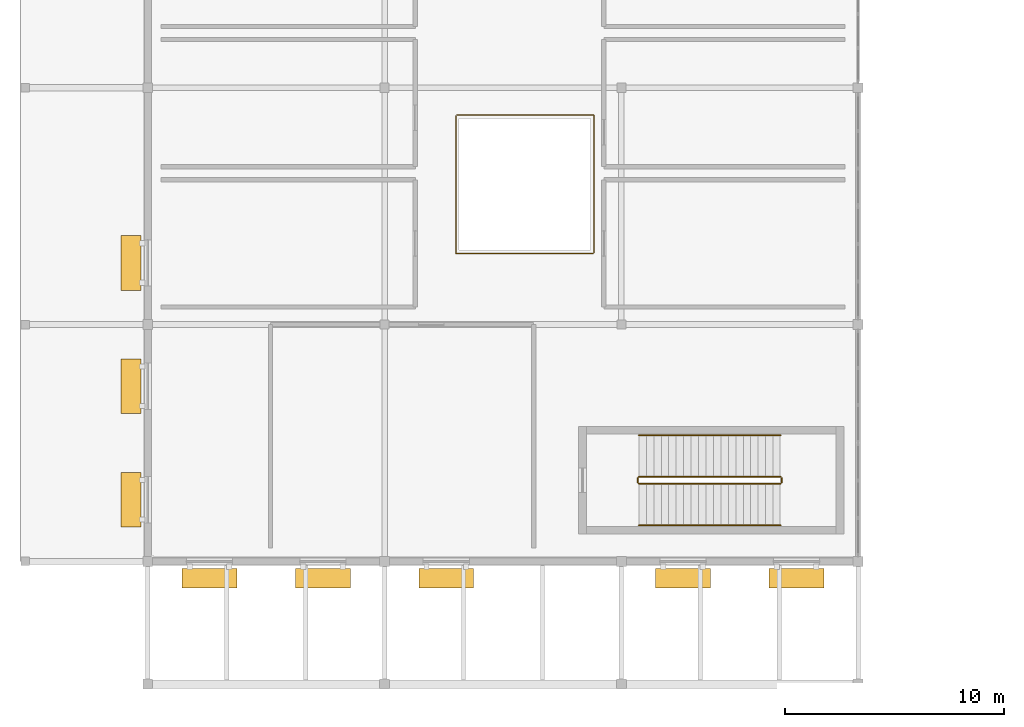
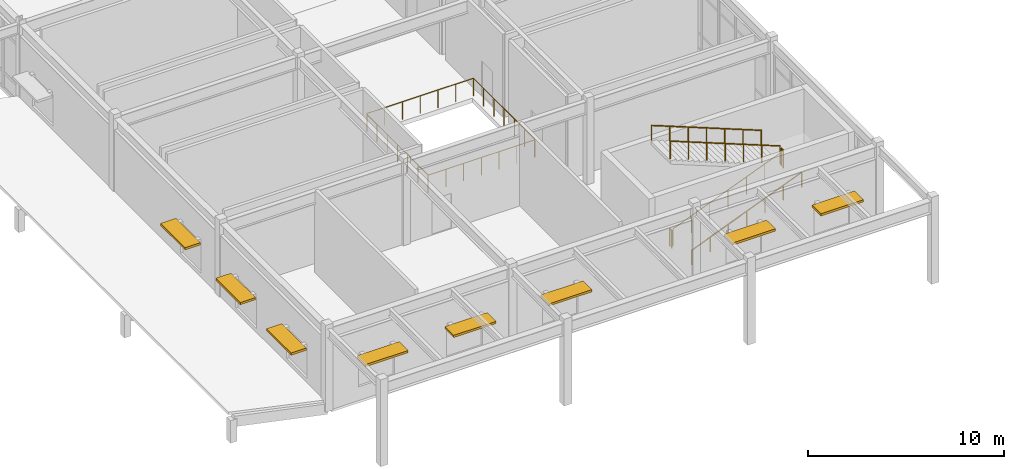
# One storey, part 62 of 72: 8 railings, 8 shading devices.
"""IFC4 building model written with IfcOpenShell, lengths in metres."""

from ifc_helpers import new_model, si_unit, direction, frame, origin, origin_2d, place, context, subcontext, project, spatial, rectangle, circle, extrude, material, type_object, element, save


model = new_model("IFC4")

# Units and contexts
model_context = context("Model", 3, precision=1e-05, world=origin(), true_north=direction((0.0, 1.0)))
body_context = subcontext(model_context, "Body", "Model", "MODEL_VIEW")
ifc_project = project(units=[si_unit("LENGTHUNIT", "METRE"), si_unit("AREAUNIT", "SQUARE_METRE"), si_unit("VOLUMEUNIT", "CUBIC_METRE"), si_unit("PLANEANGLEUNIT", "RADIAN"), si_unit("MASSUNIT", "GRAM", prefix="KILO")], contexts=[model_context])

# Site, building, storey
site_placement = place(None, origin())
site = spatial("IfcSite", under=ifc_project, at=site_placement, CompositionType="ELEMENT")
building_placement = place(site_placement, origin())
building = spatial("IfcBuilding", under=site, at=building_placement, Name="Veldera Park Congress Hotel", CompositionType="ELEMENT")
storey_placement = place(building_placement, frame((0.0, 0.0, 5.39990234375)))
storey = spatial("IfcBuildingStorey", under=building, at=storey_placement, Name="L01", CompositionType="ELEMENT", Elevation=5.39990234375)

# Railings
ifc_material_1 = material(Name="Steel ASTM A992 Gr.50", Category="steel")
railing_type_1 = type_object("IfcRailingType", Name="GRD-INT112", PredefinedType="GUARDRAIL", material=ifc_material_1)
railing_1_placement = place(storey_placement, frame((-64.14990234375, -31.889892578125, 0.0)))
element("IfcRailing", 1, at=railing_1_placement, inside=storey, type_object=railing_type_1, Name="L01 Atrium Void Guard GRD3-VOID-L01-V3-SW", PredefinedType="GUARDRAIL", context=body_context, shape_type="SweptSolid", body=[
    extrude(circle(Radius=0.02392578125, at=origin_2d()), frame((0.0, 0.0, 1.09619140625), z_axis=(0.0, -1.0, 0.0), x_axis=(1.0, 0.0, 0.0)), (0.0, 0.0, 1.0), 6.260009765625),
    extrude(circle(Radius=0.02392578125, at=origin_2d()), frame((0.0, -6.260009765625, 1.09619140625), z_axis=(1.0, 0.0, 0.0), x_axis=(0.0, 1.0, 0.0)), (0.0, 0.0, 1.0), 6.260009765625),
    extrude(circle(Radius=0.02099609375, at=origin_2d()), origin(), (0.0, 0.0, 1.0), 1.072021484375),
    extrude(circle(Radius=0.02099609375, at=origin_2d()), frame((0.0, -1.04345703125, 0.0)), (0.0, 0.0, 1.0), 1.072021484375),
    extrude(circle(Radius=0.02099609375, at=origin_2d()), frame((0.0, -2.086669921875, 0.0)), (0.0, 0.0, 1.0), 1.072021484375),
    extrude(circle(Radius=0.02099609375, at=origin_2d()), frame((0.0, -3.1298828125, 0.0)), (0.0, 0.0, 1.0), 1.072021484375),
    extrude(circle(Radius=0.02099609375, at=origin_2d()), frame((0.0, -4.17333984375, 0.0)), (0.0, 0.0, 1.0), 1.072021484375),
    extrude(circle(Radius=0.02099609375, at=origin_2d()), frame((0.0, -5.216796875, 0.0)), (0.0, 0.0, 1.0), 1.072021484375),
    extrude(circle(Radius=0.02099609375, at=origin_2d()), frame((0.0, -6.260009765625, 0.0)), (0.0, 0.0, 1.0), 1.072021484375),
    extrude(circle(Radius=0.02099609375, at=origin_2d()), frame((1.04345703125, -6.260009765625, 0.0)), (0.0, 0.0, 1.0), 1.072021484375),
    extrude(circle(Radius=0.02099609375, at=origin_2d()), frame((2.086669921875, -6.260009765625, 0.0)), (0.0, 0.0, 1.0), 1.072021484375),
    extrude(circle(Radius=0.02099609375, at=origin_2d()), frame((3.1298828125, -6.260009765625, 0.0)), (0.0, 0.0, 1.0), 1.072021484375),
    extrude(circle(Radius=0.02099609375, at=origin_2d()), frame((4.17333984375, -6.260009765625, 0.0)), (0.0, 0.0, 1.0), 1.072021484375),
    extrude(circle(Radius=0.02099609375, at=origin_2d()), frame((5.216796875, -6.260009765625, 0.0)), (0.0, 0.0, 1.0), 1.072021484375),
    extrude(circle(Radius=0.02099609375, at=origin_2d()), frame((6.260009765625, -6.260009765625, 0.0)), (0.0, 0.0, 1.0), 1.072021484375),
])
railing_2_placement = place(storey_placement, frame((-57.85009765625, -38.110107421875, 0.0)))
element("IfcRailing", 2, at=railing_2_placement, inside=storey, type_object=railing_type_1, Name="L01 Atrium Void Guard GRD3-VOID-L01-V3-NE", PredefinedType="GUARDRAIL", context=body_context, shape_type="SweptSolid", body=[
    extrude(circle(Radius=0.02392578125, at=origin_2d()), frame((0.0, 0.0, 1.09619140625), z_axis=(0.0, 1.0, 0.0), x_axis=(-1.0, 0.0, 0.0)), (0.0, 0.0, 1.0), 6.260009765625),
    extrude(circle(Radius=0.02392578125, at=origin_2d()), frame((0.0, 6.260009765625, 1.09619140625), z_axis=(-1.0, 0.0, 0.0), x_axis=(0.0, -1.0, 0.0)), (0.0, 0.0, 1.0), 6.260009765625),
    extrude(circle(Radius=0.02099609375, at=origin_2d()), origin(), (0.0, 0.0, 1.0), 1.072021484375),
    extrude(circle(Radius=0.02099609375, at=origin_2d()), frame((0.0, 1.04345703125, 0.0)), (0.0, 0.0, 1.0), 1.072021484375),
    extrude(circle(Radius=0.02099609375, at=origin_2d()), frame((0.0, 2.086669921875, 0.0)), (0.0, 0.0, 1.0), 1.072021484375),
    extrude(circle(Radius=0.02099609375, at=origin_2d()), frame((0.0, 3.1298828125, 0.0)), (0.0, 0.0, 1.0), 1.072021484375),
    extrude(circle(Radius=0.02099609375, at=origin_2d()), frame((0.0, 4.17333984375, 0.0)), (0.0, 0.0, 1.0), 1.072021484375),
    extrude(circle(Radius=0.02099609375, at=origin_2d()), frame((0.0, 5.216796875, 0.0)), (0.0, 0.0, 1.0), 1.072021484375),
    extrude(circle(Radius=0.02099609375, at=origin_2d()), frame((0.0, 6.260009765625, 0.0)), (0.0, 0.0, 1.0), 1.072021484375),
    extrude(circle(Radius=0.02099609375, at=origin_2d()), frame((-1.04345703125, 6.260009765625, 0.0)), (0.0, 0.0, 1.0), 1.072021484375),
    extrude(circle(Radius=0.02099609375, at=origin_2d()), frame((-2.086669921875, 6.260009765625, 0.0)), (0.0, 0.0, 1.0), 1.072021484375),
    extrude(circle(Radius=0.02099609375, at=origin_2d()), frame((-3.1298828125, 6.260009765625, 0.0)), (0.0, 0.0, 1.0), 1.072021484375),
    extrude(circle(Radius=0.02099609375, at=origin_2d()), frame((-4.17333984375, 6.260009765625, 0.0)), (0.0, 0.0, 1.0), 1.072021484375),
    extrude(circle(Radius=0.02099609375, at=origin_2d()), frame((-5.216796875, 6.260009765625, 0.0)), (0.0, 0.0, 1.0), 1.072021484375),
    extrude(circle(Radius=0.02099609375, at=origin_2d()), frame((-6.260009765625, 6.260009765625, 0.0)), (0.0, 0.0, 1.0), 1.072021484375),
])
railing_type_2 = type_object("IfcRailingType", Name="GRD-ST110", PredefinedType="GUARDRAIL", material=ifc_material_1)
railing_3_placement = place(storey_placement, frame((-55.800048828125, -48.64990234375, 0.135009765625)))
element("IfcRailing", 3, at=railing_3_placement, inside=storey, type_object=railing_type_2, Name="L01 ST8 stair guard 1", PredefinedType="GUARDRAIL", context=body_context, shape_type="SweptSolid", body=[
    extrude(circle(Radius=0.02392578125, at=origin_2d()), frame((0.0, 0.0, 1.076171875), z_axis=(0.929406391584, 0.0, 0.369057934859), x_axis=(0.0, 1.0, 0.0)), (0.0, 0.0, 1.0), 6.95068359375),
    extrude(circle(Radius=0.02099609375, at=origin_2d()), origin(), (0.0, 0.0, 1.0), 1.052001953125),
    extrude(circle(Radius=0.02099609375, at=origin_2d()), frame((1.07666015625, 0.0, 0.427490234375)), (0.0, 0.0, 1.0), 1.052001953125),
    extrude(circle(Radius=0.02099609375, at=origin_2d()), frame((2.1533203125, 0.0, 0.85498046875)), (0.0, 0.0, 1.0), 1.052001953125),
    extrude(circle(Radius=0.02099609375, at=origin_2d()), frame((3.22998046875, 0.0, 1.28271484375)), (0.0, 0.0, 1.0), 1.052001953125),
    extrude(circle(Radius=0.02099609375, at=origin_2d()), frame((4.306640625, 0.0, 1.710205078125)), (0.0, 0.0, 1.0), 1.052001953125),
    extrude(circle(Radius=0.02099609375, at=origin_2d()), frame((5.38330078125, 0.0, 2.1376953125)), (0.0, 0.0, 1.0), 1.052001953125),
    extrude(circle(Radius=0.02099609375, at=origin_2d()), frame((6.4599609375, 0.0, 2.565185546875)), (0.0, 0.0, 1.0), 1.052001953125),
])
railing_4_placement = place(storey_placement, frame((-49.2900390625, -48.60009765625, 2.7001953125)))
element("IfcRailing", 4, at=railing_4_placement, inside=storey, type_object=railing_type_2, Name="L01 ST8 stair guard 2", PredefinedType="GUARDRAIL", context=body_context, shape_type="SweptSolid", body=[
    extrude(circle(Radius=0.02392578125, at=origin_2d()), frame((0.0, 0.0, 1.076171875), z_axis=(0.0, 1.0, 0.0), x_axis=(-1.0, 0.0, 0.0)), (0.0, 0.0, 1.0), 0.2001953125),
    extrude(circle(Radius=0.02099609375, at=origin_2d()), origin(), (0.0, 0.0, 1.0), 1.052001953125),
    extrude(circle(Radius=0.02099609375, at=origin_2d()), frame((0.0, 0.2001953125, 0.0)), (0.0, 0.0, 1.0), 1.052001953125),
])
railing_5_placement = place(storey_placement, frame((-49.340087890625, -48.35009765625, 2.835205078125)))
element("IfcRailing", 5, at=railing_5_placement, inside=storey, type_object=railing_type_2, Name="L01 ST8 stair guard 3", PredefinedType="GUARDRAIL", context=body_context, shape_type="SweptSolid", body=[
    extrude(circle(Radius=0.02392578125, at=origin_2d()), frame((0.0, 0.0, 1.076171875), z_axis=(-0.929418439274, 0.0, 0.369027593462), x_axis=(0.0, -1.0, 0.0)), (0.0, 0.0, 1.0), 6.950439453125),
    extrude(circle(Radius=0.02099609375, at=origin_2d()), origin(), (0.0, 0.0, 1.0), 1.052001953125),
    extrude(circle(Radius=0.02099609375, at=origin_2d()), frame((-1.07666015625, 0.0, 0.427490234375)), (0.0, 0.0, 1.0), 1.052001953125),
    extrude(circle(Radius=0.02099609375, at=origin_2d()), frame((-2.1533203125, 0.0, 0.85498046875)), (0.0, 0.0, 1.0), 1.052001953125),
    extrude(circle(Radius=0.02099609375, at=origin_2d()), frame((-3.22998046875, 0.0, 1.282470703125)), (0.0, 0.0, 1.0), 1.052001953125),
    extrude(circle(Radius=0.02099609375, at=origin_2d()), frame((-4.306640625, 0.0, 1.7099609375)), (0.0, 0.0, 1.0), 1.052001953125),
    extrude(circle(Radius=0.02099609375, at=origin_2d()), frame((-5.38330078125, 0.0, 2.137451171875)), (0.0, 0.0, 1.0), 1.052001953125),
    extrude(circle(Radius=0.02099609375, at=origin_2d()), frame((-6.4599609375, 0.0, 2.56494140625)), (0.0, 0.0, 1.0), 1.052001953125),
])
railing_6_placement = place(storey_placement, frame((-55.85009765625, -48.60009765625, 0.0)))
element("IfcRailing", 6, at=railing_6_placement, inside=storey, type_object=railing_type_2, Name="L01 ST8 stair guard 4", PredefinedType="GUARDRAIL", context=body_context, shape_type="SweptSolid", body=[
    extrude(circle(Radius=0.02392578125, at=origin_2d()), frame((0.0, 0.0, 1.076171875), z_axis=(0.0, 1.0, 0.0), x_axis=(-1.0, 0.0, 0.0)), (0.0, 0.0, 1.0), 0.2001953125),
    extrude(circle(Radius=0.02099609375, at=origin_2d()), origin(), (0.0, 0.0, 1.0), 1.052001953125),
    extrude(circle(Radius=0.02099609375, at=origin_2d()), frame((0.0, 0.2001953125, 0.0)), (0.0, 0.0, 1.0), 1.052001953125),
])
railing_type_3 = type_object("IfcRailingType", Name="HRL-920", PredefinedType="HANDRAIL", material=ifc_material_1)
railing_7_placement = place(storey_placement, frame((-55.800048828125, -50.550048828125, 0.135009765625)))
element("IfcRailing", 7, at=railing_7_placement, inside=storey, type_object=railing_type_3, Name="L01 ST8 stair handrail 1", PredefinedType="HANDRAIL", context=body_context, shape_type="SweptSolid", body=[
    extrude(circle(Radius=0.02392578125, at=origin_2d()), frame((0.0, 0.0, 0.89599609375), z_axis=(0.929406391584, 0.0, 0.369057934859), x_axis=(0.0, 1.0, 0.0)), (0.0, 0.0, 1.0), 6.95068359375),
    extrude(circle(Radius=0.02099609375, at=origin_2d()), origin(), (0.0, 0.0, 1.0), 0.871826171875),
    extrude(circle(Radius=0.02099609375, at=origin_2d()), frame((1.07666015625, 0.0, 0.427490234375)), (0.0, 0.0, 1.0), 0.871826171875),
    extrude(circle(Radius=0.02099609375, at=origin_2d()), frame((2.1533203125, 0.0, 0.85498046875)), (0.0, 0.0, 1.0), 0.871826171875),
    extrude(circle(Radius=0.02099609375, at=origin_2d()), frame((3.22998046875, 0.0, 1.28271484375)), (0.0, 0.0, 1.0), 0.871826171875),
    extrude(circle(Radius=0.02099609375, at=origin_2d()), frame((4.306640625, 0.0, 1.710205078125)), (0.0, 0.0, 1.0), 0.871826171875),
    extrude(circle(Radius=0.02099609375, at=origin_2d()), frame((5.38330078125, 0.0, 2.1376953125)), (0.0, 0.0, 1.0), 0.871826171875),
    extrude(circle(Radius=0.02099609375, at=origin_2d()), frame((6.4599609375, 0.0, 2.565185546875)), (0.0, 0.0, 1.0), 0.871826171875),
])
railing_8_placement = place(storey_placement, frame((-49.340087890625, -46.449951171875, 2.835205078125)))
element("IfcRailing", 8, at=railing_8_placement, inside=storey, type_object=railing_type_3, Name="L01 ST8 stair handrail 2", PredefinedType="HANDRAIL", context=body_context, shape_type="SweptSolid", body=[
    extrude(circle(Radius=0.02392578125, at=origin_2d()), frame((0.0, 0.0, 0.89599609375), z_axis=(-0.929418439274, 0.0, 0.369027593462), x_axis=(0.0, -1.0, 0.0)), (0.0, 0.0, 1.0), 6.950439453125),
    extrude(circle(Radius=0.02099609375, at=origin_2d()), origin(), (0.0, 0.0, 1.0), 0.871826171875),
    extrude(circle(Radius=0.02099609375, at=origin_2d()), frame((-1.07666015625, 0.0, 0.427490234375)), (0.0, 0.0, 1.0), 0.871826171875),
    extrude(circle(Radius=0.02099609375, at=origin_2d()), frame((-2.1533203125, 0.0, 0.85498046875)), (0.0, 0.0, 1.0), 0.871826171875),
    extrude(circle(Radius=0.02099609375, at=origin_2d()), frame((-3.22998046875, 0.0, 1.282470703125)), (0.0, 0.0, 1.0), 0.871826171875),
    extrude(circle(Radius=0.02099609375, at=origin_2d()), frame((-4.306640625, 0.0, 1.7099609375)), (0.0, 0.0, 1.0), 0.871826171875),
    extrude(circle(Radius=0.02099609375, at=origin_2d()), frame((-5.38330078125, 0.0, 2.137451171875)), (0.0, 0.0, 1.0), 0.871826171875),
    extrude(circle(Radius=0.02099609375, at=origin_2d()), frame((-6.4599609375, 0.0, 2.56494140625)), (0.0, 0.0, 1.0), 0.871826171875),
])

# Shading devices
ifc_material_2 = material(Name="Glulam GL28h (NDS 24F-V4)", Category="wood")
shading_device_type = type_object("IfcShadingDeviceType", Name="SHD-SHF450", PredefinedType="AWNING", material=ifc_material_2)
for number, where, z_axis, x_axis, name in (
    (9, (-78.969970703125, -38.58837890625, 2.81005859375), (0.0, 0.0, 1.0), (0.0, -1.0, 0.0), "Glulam Solar Shade 51"),
    (10, (-78.969970703125, -44.21142578125, 2.81005859375), (0.0, 0.0, 1.0), (0.0, -1.0, 0.0), "Glulam Solar Shade 52"),
    (11, (-78.969970703125, -49.388427734375, 2.81005859375), (0.0, 0.0, 1.0), (0.0, -1.0, 0.0), "Glulam Solar Shade 53"),
    (12, (-75.388427734375, -52.969970703125, 2.81005859375), (0.0, 0.0, 1.0), (1.0, 0.0, 0.0), "Glulam Solar Shade 54"),
    (13, (-70.21142578125, -52.969970703125, 2.81005859375), (0.0, 0.0, 1.0), (1.0, 0.0, 0.0), "Glulam Solar Shade 55"),
    (14, (-64.58837890625, -52.969970703125, 2.81005859375), (0.0, 0.0, 1.0), (1.0, 0.0, 0.0), "Glulam Solar Shade 56"),
    (15, (-53.78857421875, -52.969970703125, 2.81005859375), (0.0, 0.0, 1.0), (1.0, 0.0, 0.0), "Glulam Solar Shade 57"),
    (16, (-48.611572265625, -52.969970703125, 2.81005859375), (0.0, 0.0, 1.0), (1.0, 0.0, 0.0), "Glulam Solar Shade 58"),
):
    element("IfcShadingDevice", number, at=place(storey_placement, frame(where, z_axis=z_axis, x_axis=x_axis)), inside=storey, type_object=shading_device_type, Name=name, PredefinedType="AWNING", context=body_context, shape_type="SweptSolid", body=[
        extrude(rectangle(XDim=2.5, YDim=0.89990234375, at=origin_2d()), origin(), (0.0, 0.0, 1.0), 0.139892578125),
    ])

save(model, "model.ifc")
